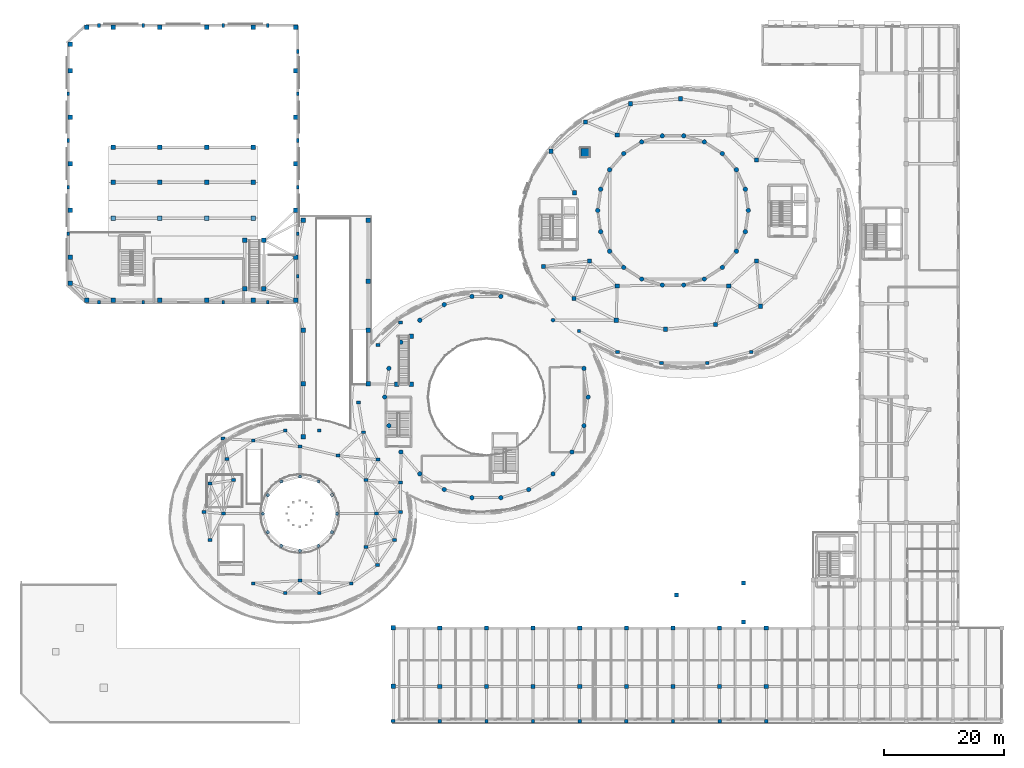
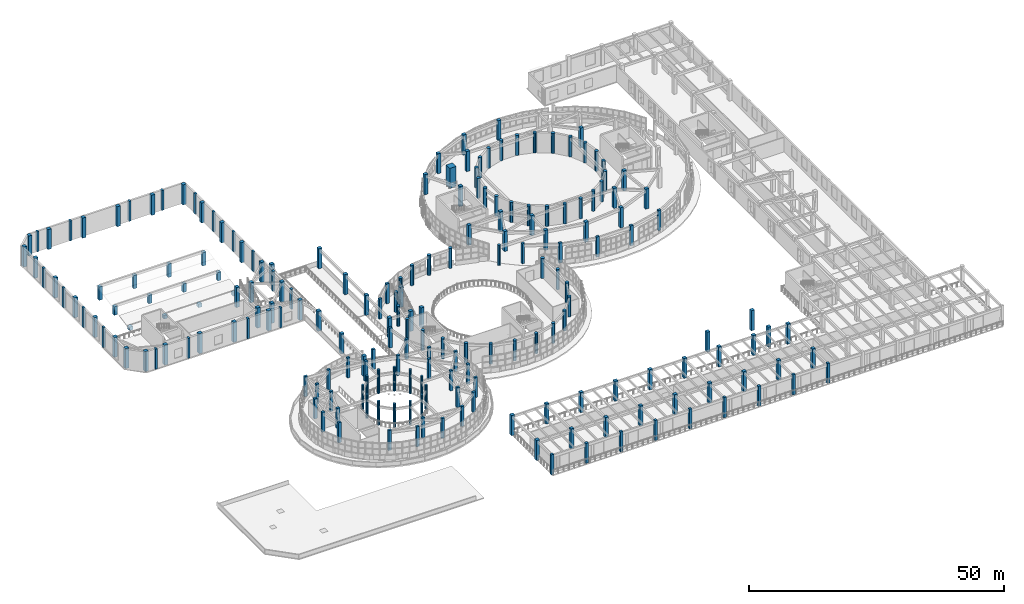
# One storey, part 1 of 98: 205 columns.
"""IFC4 building model written with IfcOpenShell, lengths in metres."""

from ifc_helpers import new_model, si_unit, direction, frame, origin, origin_2d, place, context, subcontext, project, spatial, rectangle, circle, extrude, material, material_profile, profile_set, type_object, element, save


model = new_model("IFC4")

# Units and contexts
model_context = context("Model", 3, precision=1e-05, world=origin(), true_north=direction((0.0, 1.0)))
body_context = subcontext(model_context, "Body", "Model", "MODEL_VIEW")
ifc_project = project(units=[si_unit("LENGTHUNIT", "METRE"), si_unit("AREAUNIT", "SQUARE_METRE"), si_unit("VOLUMEUNIT", "CUBIC_METRE"), si_unit("PLANEANGLEUNIT", "RADIAN"), si_unit("MASSUNIT", "GRAM", prefix="KILO")], contexts=[model_context])

# Site, building, storey
site_placement = place(None, origin())
site = spatial("IfcSite", under=ifc_project, at=site_placement, CompositionType="ELEMENT")
building_placement = place(site_placement, origin())
building = spatial("IfcBuilding", under=site, at=building_placement, Name="Pelvatis Terrace Science Centre", CompositionType="ELEMENT")
storey_placement = place(building_placement, frame((0.0, 0.0, 5.39990234375)))
storey = spatial("IfcBuildingStorey", under=building, at=storey_placement, Name="L01", CompositionType="ELEMENT", Elevation=5.39990234375)

# Columns
ifc_material_1 = material(Name="Concrete C40/50", Category="concrete")
ifc_material_profile_1 = material_profile(ifc_material_1, rectangle(XDim=1.39990234375, YDim=1.39990234375, at=origin_2d()), Name="RC-COL 1400x1400")
ifc_profile_set_1 = profile_set([ifc_material_profile_1], Name="Concrete C40/50")
column_type_1 = type_object("IfcColumnType", Name="COL-PIER-1400", PredefinedType="COLUMN", material=ifc_profile_set_1)
column_1_placement = place(storey_placement, frame((94.5, 95.5, 0.0), z_axis=(0.0, 0.0, 1.0), x_axis=(1.0, 0.0, 0.0)))
element("IfcColumn", 1, at=column_1_placement, inside=storey, type_object=column_type_1, Name="Column PIER-OBS (L01)", PredefinedType="COLUMN", context=body_context, shape_type="SweptSolid", body=[
    extrude(rectangle(XDim=1.39990234375, YDim=1.39990234375, at=origin_2d()), origin(), (0.0, 0.0, 1.0), 4.800048828125),
])
ifc_material_2 = material(Name="Concrete C40/50", Category="concrete")
ifc_material_profile_2 = material_profile(ifc_material_2, rectangle(XDim=0.550048828125, YDim=0.550048828125, at=origin_2d()), Name="RC-COL 550x550")
ifc_profile_set_2 = profile_set([ifc_material_profile_2], Name="Concrete C40/50")
column_type_2 = type_object("IfcColumnType", Name="COL-RC-550x550", PredefinedType="COLUMN", material=ifc_profile_set_2)
for number, where, z_axis, x_axis, name in (
    (2, (93.484130859375, 65.64453125, 0.0), (0.0, 0.0, 1.0), (1.0, 0.0, 0.0), "Column V1E-ST-15 (L01)"),
    (3, (70.199951171875, 0.39990234375, 0.0), (0.0, 0.0, 1.0), (1.0, 0.0, 0.0), "Column V5G-S-2-1 (L01)"),
    (4, (78.0, 0.39990234375, 0.0), (0.0, 0.0, 1.0), (1.0, 0.0, 0.0), "Column V5G-S-3-1 (L01)"),
    (5, (85.800048828125, 0.39990234375, 0.0), (0.0, 0.0, 1.0), (1.0, 0.0, 0.0), "Column V5G-S-4-1 (L01)"),
    (6, (93.60009765625, 0.39990234375, 0.0), (0.0, 0.0, 1.0), (1.0, 0.0, 0.0), "Column V5G-S-5-1 (L01)"),
    (7, (101.39990234375, 0.39990234375, 0.0), (0.0, 0.0, 1.0), (1.0, 0.0, 0.0), "Column V5G-S-6-1 (L01)"),
    (8, (109.199951171875, 0.39990234375, 0.0), (0.0, 0.0, 1.0), (1.0, 0.0, 0.0), "Column V5G-S-7-1 (L01)"),
    (9, (117.0, 0.39990234375, 0.0), (0.0, 0.0, 1.0), (1.0, 0.0, 0.0), "Column V5G-S-8-1 (L01)"),
    (10, (124.800048828125, 0.39990234375, 0.0), (0.0, 0.0, 1.0), (1.0, 0.0, 0.0), "Column V5G-S-9-1 (L01)"),
):
    element("IfcColumn", number, at=place(storey_placement, frame(where, z_axis=z_axis, x_axis=x_axis)), inside=storey, type_object=column_type_2, Name=name, PredefinedType="COLUMN", context=body_context, shape_type="SweptSolid", body=[
        extrude(rectangle(XDim=0.550048828125, YDim=0.550048828125, at=origin_2d()), origin(), (0.0, 0.0, 1.0), 4.800048828125),
    ])
ifc_material_3 = material(Name="Concrete C40/50", Category="concrete")
ifc_material_profile_3 = material_profile(ifc_material_3, rectangle(XDim=0.64990234375, YDim=0.5, at=origin_2d()), Name="RC-COL 650x500")
ifc_profile_set_3 = profile_set([ifc_material_profile_3], Name="Concrete C40/50")
column_type_3 = type_object("IfcColumnType", Name="COL-RC-650x500", PredefinedType="COLUMN", material=ifc_profile_set_3)
for number, where, z_axis, x_axis, name in (
    (11, (99.92529296875, 62.1513671875, 0.0), (0.0, 0.0, 1.0), (1.0, 0.0, 0.0), "Column V1E-ST-16 (L01)"),
    (12, (107.271728515625, 60.3310546875, 0.0), (0.0, 0.0, 1.0), (1.0, 0.0, 0.0), "Column V1E-ST-17 (L01)"),
    (13, (114.92822265625, 60.3310546875, 0.0), (0.0, 0.0, 1.0), (1.0, 0.0, 0.0), "Column V1E-ST-18 (L01)"),
    (14, (122.274658203125, 62.1513671875, 0.0), (0.0, 0.0, 1.0), (1.0, 0.0, 0.0), "Column V1E-ST-19 (L01)"),
    (15, (63.640869140625, 67.076904296875, 0.0), (0.0, 0.0, 1.0), (1.0, 0.0, 0.0), "Column V2E-B-09 (L01)"),
    (16, (59.83837890625, 63.269287109375, 0.0), (0.0, 0.0, 1.0), (1.0, 0.0, 0.0), "Column V2E-B-10 (L01)"),
    (17, (56.60009765625, 53.699951171875, 0.0), (0.0, 0.0, 1.0), (1.0, 0.0, 0.0), "Column V2E-B-12 (L01)"),
    (18, (57.42626953125, 48.71337890625, 0.0), (0.0, 0.0, 1.0), (1.0, 0.0, 0.0), "Column V2E-B-13 (L01)"),
    (19, (59.83837890625, 44.130615234375, 0.0), (0.0, 0.0, 1.0), (1.0, 0.0, 0.0), "Column V2E-B-14 (L01)"),
    (20, (63.640869140625, 40.3232421875, 0.0), (0.0, 0.0, 1.0), (1.0, 0.0, 0.0), "Column V2E-B-15 (L01)"),
    (21, (63.60009765625, 35.39990234375, 0.0), (0.0, 0.0, 1.0), (1.0, 0.0, 0.0), "Column V3E-A-01 (L01)"),
    (22, (50.0478515625, 48.990234375, 0.0), (0.0, 0.0, 1.0), (1.0, 0.0, 0.0), "Column V3E-A-05 (L01)"),
    (23, (44.352294921875, 48.990234375, 0.0), (0.0, 0.0, 1.0), (1.0, 0.0, 0.0), "Column V3E-A-06 (L01)"),
    (24, (39.0, 47.351318359375, 0.0), (0.0, 0.0, 1.0), (1.0, 0.0, 0.0), "Column V3E-A-07 (L01)"),
    (25, (34.636962890625, 44.2705078125, 0.0), (0.0, 0.0, 1.0), (1.0, 0.0, 0.0), "Column V3E-A-08 (L01)"),
    (26, (31.7890625, 40.119873046875, 0.0), (0.0, 0.0, 1.0), (1.0, 0.0, 0.0), "Column V3E-A-09 (L01)"),
    (27, (30.800048828125, 35.39990234375, 0.0), (0.0, 0.0, 1.0), (1.0, 0.0, 0.0), "Column V3E-A-10 (L01)"),
    (28, (31.7890625, 30.68017578125, 0.0), (0.0, 0.0, 1.0), (1.0, 0.0, 0.0), "Column V3E-A-11 (L01)"),
    (29, (39.0, 23.44873046875, 0.0), (0.0, 0.0, 1.0), (1.0, 0.0, 0.0), "Column V3E-A-13 (L01)"),
    (30, (44.352294921875, 21.809814453125, 0.0), (0.0, 0.0, 1.0), (1.0, 0.0, 0.0), "Column V3E-A-14 (L01)"),
    (31, (50.0478515625, 21.809814453125, 0.0), (0.0, 0.0, 1.0), (1.0, 0.0, 0.0), "Column V3E-A-15 (L01)"),
    (32, (55.39990234375, 23.44873046875, 0.0), (0.0, 0.0, 1.0), (1.0, 0.0, 0.0), "Column V3E-A-16 (L01)"),
    (33, (59.76318359375, 26.529541015625, 0.0), (0.0, 0.0, 1.0), (1.0, 0.0, 0.0), "Column V3E-A-17 (L01)"),
    (34, (62.611083984375, 30.68017578125, 0.0), (0.0, 0.0, 1.0), (1.0, 0.0, 0.0), "Column V3E-A-18 (L01)"),
    (35, (33.9619140625, 47.629638671875, 0.0), (0.0, 0.0, 1.0), (1.0, 0.0, 0.0), "Column V3E-B-08 (L01)"),
    (36, (59.60009765625, 35.10009765625, 0.0), (0.0, 0.0, 1.0), (1.0, 0.0, 0.0), "Column V3E-M-01 (L01)"),
    (37, (57.885009765625, 40.699951171875, 0.0), (0.0, 0.0, 1.0), (1.0, 0.0, 0.0), "Column V3E-M-02 (L01)"),
    (38, (53.199951171875, 44.799560546875, 0.0), (0.0, 0.0, 1.0), (1.0, 0.0, 0.0), "Column V3E-M-03 (L01)"),
    (39, (46.800048828125, 46.300048828125, 0.0), (0.0, 0.0, 1.0), (1.0, 0.0, 0.0), "Column V3E-M-04 (L01)"),
    (40, (35.71484375, 40.699951171875, 0.0), (0.0, 0.0, 1.0), (1.0, 0.0, 0.0), "Column V3E-M-06 (L01)"),
    (41, (34.0, 35.10009765625, 0.0), (0.0, 0.0, 1.0), (1.0, 0.0, 0.0), "Column V3E-M-07 (L01)"),
    (42, (46.800048828125, 23.89990234375, 0.0), (0.0, 0.0, 1.0), (1.0, 0.0, 0.0), "Column V3E-M-10 (L01)"),
    (43, (57.885009765625, 29.5, 0.0), (0.0, 0.0, 1.0), (1.0, 0.0, 0.0), "Column V3E-M-12 (L01)"),
    (44, (62.39990234375, 0.39990234375, 0.0), (0.0, 0.0, 1.0), (1.0, 0.0, 0.0), "Column V5G-S-1-1 (L01)"),
):
    element("IfcColumn", number, at=place(storey_placement, frame(where, z_axis=z_axis, x_axis=x_axis)), inside=storey, type_object=column_type_3, Name=name, PredefinedType="COLUMN", context=body_context, shape_type="SweptSolid", body=[
        extrude(rectangle(XDim=0.64990234375, YDim=0.5, at=origin_2d()), origin(), (0.0, 0.0, 1.0), 4.800048828125),
    ])
ifc_material_4 = material(Name="Concrete C40/50", Category="concrete")
ifc_material_profile_4 = material_profile(ifc_material_4, rectangle(XDim=0.699951171875, YDim=0.699951171875, at=origin_2d()), Name="RC-COL 700x700")
ifc_profile_set_4 = profile_set([ifc_material_profile_4], Name="Concrete C40/50")
column_type_4 = type_object("IfcColumnType", Name="COL-RC-700x700", PredefinedType="COLUMN", material=ifc_profile_set_4)
for number, where, z_axis, x_axis, name in (
    (45, (110.4716796875, 104.4736328125, 0.0), (0.0, 0.0, 1.0), (1.0, 0.0, 0.0), "Column V1E-RF-05 (L01)"),
    (46, (102.095458984375, 103.65673828125, 0.0), (0.0, 0.0, 1.0), (1.0, 0.0, 0.0), "Column V1E-RF-06 (L01)"),
    (47, (94.575927734375, 100.61376953125, 0.0), (0.0, 0.0, 1.0), (1.0, 0.0, 0.0), "Column V1E-RF-07 (L01)"),
    (48, (88.8203125, 95.71142578125, 0.0), (0.0, 0.0, 1.0), (1.0, 0.0, 0.0), "Column V1E-RF-08 (L01)"),
    (49, (87.548583984375, 76.43798828125, 0.0), (0.0, 0.0, 1.0), (1.0, 0.0, 0.0), "Column V1E-RF-11 (L01)"),
    (50, (92.62744140625, 71.0849609375, 0.0), (0.0, 0.0, 1.0), (1.0, 0.0, 0.0), "Column V1E-RF-12 (L01)"),
    (51, (99.705078125, 67.434326171875, 0.0), (0.0, 0.0, 1.0), (1.0, 0.0, 0.0), "Column V1E-RF-13 (L01)"),
    (52, (107.92822265625, 65.926513671875, 0.0), (0.0, 0.0, 1.0), (1.0, 0.0, 0.0), "Column V1E-RF-14 (L01)"),
    (53, (116.3046875, 66.743408203125, 0.0), (0.0, 0.0, 1.0), (1.0, 0.0, 0.0), "Column V1E-RF-15 (L01)"),
    (54, (123.82421875, 69.786376953125, 0.0), (0.0, 0.0, 1.0), (1.0, 0.0, 0.0), "Column V1E-RF-16 (L01)"),
    (55, (123.168701171875, 94.24462890625, 0.0), (0.0, 0.0, 1.0), (1.0, 0.0, 0.0), "Column V1E-IN-02 (L01)"),
    (56, (99.866455078125, 98.438232421875, 0.0), (0.0, 0.0, 1.0), (1.0, 0.0, 0.0), "Column V1E-IN-06 (L01)"),
    (57, (92.722900390625, 88.765380859375, 0.0), (0.0, 0.0, 1.0), (1.0, 0.0, 0.0), "Column V1E-IN-08 (L01)"),
    (58, (95.231201171875, 77.355224609375, 0.0), (0.0, 0.0, 1.0), (1.0, 0.0, 0.0), "Column V1E-IN-10 (L01)"),
    (59, (99.866455078125, 73.16162109375, 0.0), (0.0, 0.0, 1.0), (1.0, 0.0, 0.0), "Column V1E-IN-11 (L01)"),
    (60, (118.53369140625, 73.16162109375, 0.0), (0.0, 0.0, 1.0), (1.0, 0.0, 0.0), "Column V1E-IN-14 (L01)"),
    (61, (123.168701171875, 77.355224609375, 0.0), (0.0, 0.0, 1.0), (1.0, 0.0, 0.0), "Column V1E-IN-15 (L01)"),
    (62, (70.199951171875, 6.199951171875, 0.0), (0.0, 0.0, 1.0), (1.0, 0.0, 0.0), "Column V5G-S-2-2 (L01)"),
    (63, (70.199951171875, 16.0, 0.0), (0.0, 0.0, 1.0), (1.0, 0.0, 0.0), "Column V5G-S-2-3 (L01)"),
    (64, (78.0, 6.199951171875, 0.0), (0.0, 0.0, 1.0), (1.0, 0.0, 0.0), "Column V5G-S-3-2 (L01)"),
    (65, (78.0, 16.0, 0.0), (0.0, 0.0, 1.0), (1.0, 0.0, 0.0), "Column V5G-S-3-3 (L01)"),
    (66, (85.800048828125, 6.199951171875, 0.0), (0.0, 0.0, 1.0), (1.0, 0.0, 0.0), "Column V5G-S-4-2 (L01)"),
    (67, (85.800048828125, 16.0, 0.0), (0.0, 0.0, 1.0), (1.0, 0.0, 0.0), "Column V5G-S-4-3 (L01)"),
    (68, (93.60009765625, 6.199951171875, 0.0), (0.0, 0.0, 1.0), (1.0, 0.0, 0.0), "Column V5G-S-5-2 (L01)"),
    (69, (93.60009765625, 16.0, 0.0), (0.0, 0.0, 1.0), (1.0, 0.0, 0.0), "Column V5G-S-5-3 (L01)"),
    (70, (101.39990234375, 6.199951171875, 0.0), (0.0, 0.0, 1.0), (1.0, 0.0, 0.0), "Column V5G-S-6-2 (L01)"),
    (71, (101.39990234375, 16.0, 0.0), (0.0, 0.0, 1.0), (1.0, 0.0, 0.0), "Column V5G-S-6-3 (L01)"),
    (72, (109.199951171875, 6.199951171875, 0.0), (0.0, 0.0, 1.0), (1.0, 0.0, 0.0), "Column V5G-S-7-2 (L01)"),
    (73, (109.199951171875, 16.0, 0.0), (0.0, 0.0, 1.0), (1.0, 0.0, 0.0), "Column V5G-S-7-3 (L01)"),
    (74, (117.0, 6.199951171875, 0.0), (0.0, 0.0, 1.0), (1.0, 0.0, 0.0), "Column V5G-S-8-2 (L01)"),
    (75, (117.0, 16.0, 0.0), (0.0, 0.0, 1.0), (1.0, 0.0, 0.0), "Column V5G-S-8-3 (L01)"),
    (76, (124.800048828125, 6.199951171875, 0.0), (0.0, 0.0, 1.0), (1.0, 0.0, 0.0), "Column V5G-S-9-2 (L01)"),
    (77, (124.800048828125, 16.0, 0.0), (0.0, 0.0, 1.0), (1.0, 0.0, 0.0), "Column V5G-S-9-3 (L01)"),
    (78, (121.0, 17.0, 0.0), (0.0, 0.0, 1.0), (1.0, 0.0, 0.0), "Column SUPR2-16 (L01)"),
    (79, (109.800048828125, 21.5, 0.0), (0.0, 0.0, 1.0), (1.0, 0.0, 0.0), "Column SUPR2-18 (L01)"),
    (80, (121.0, 23.5, 0.0), (0.0, 0.0, 1.0), (1.0, 0.0, 0.0), "Column SUPR2-19 (L01)"),
):
    element("IfcColumn", number, at=place(storey_placement, frame(where, z_axis=z_axis, x_axis=x_axis)), inside=storey, type_object=column_type_4, Name=name, PredefinedType="COLUMN", context=body_context, shape_type="SweptSolid", body=[
        extrude(rectangle(XDim=0.699951171875, YDim=0.699951171875, at=origin_2d()), origin(), (0.0, 0.0, 1.0), 4.800048828125),
    ])
ifc_material_5 = material(Name="Concrete C40/50", Category="concrete")
ifc_material_profile_5 = material_profile(ifc_material_5, rectangle(XDim=0.75, YDim=0.75, at=origin_2d()), Name="RC-COL 750x750")
ifc_profile_set_5 = profile_set([ifc_material_profile_5], Name="Concrete C40/50")
column_type_5 = type_object("IfcColumnType", Name="COL-RC-750x750", PredefinedType="COLUMN", material=ifc_profile_set_5)
for number, where, z_axis, x_axis, name in (
    (81, (11.199951171875, 70.800048828125, 0.0), (0.0, 0.0, 1.0), (1.0, 0.0, 0.0), "Column V4I-1-1 (L01)"),
    (82, (8.39990234375, 78.0, 0.0), (0.0, 0.0, 1.0), (1.0, 0.0, 0.0), "Column V4I-1-2 (L01)"),
    (83, (8.39990234375, 85.800048828125, 0.0), (0.0, 0.0, 1.0), (1.0, 0.0, 0.0), "Column V4I-1-3 (L01)"),
    (84, (8.39990234375, 93.60009765625, 0.0), (0.0, 0.0, 1.0), (1.0, 0.0, 0.0), "Column V4I-1-4 (L01)"),
    (85, (8.39990234375, 101.39990234375, 0.0), (0.0, 0.0, 1.0), (1.0, 0.0, 0.0), "Column V4I-1-5 (L01)"),
    (86, (8.39990234375, 109.199951171875, 0.0), (0.0, 0.0, 1.0), (1.0, 0.0, 0.0), "Column V4I-1-6 (L01)"),
    (87, (11.199951171875, 116.39990234375, 0.0), (0.0, 0.0, 1.0), (1.0, 0.0, 0.0), "Column V4I-1-7 (L01)"),
    (88, (15.60009765625, 70.800048828125, 0.0), (0.0, 0.0, 1.0), (1.0, 0.0, 0.0), "Column V4I-2-1 (L01)"),
    (89, (15.60009765625, 116.39990234375, 0.0), (0.0, 0.0, 1.0), (1.0, 0.0, 0.0), "Column V4I-2-7 (L01)"),
    (90, (23.39990234375, 70.800048828125, 0.0), (0.0, 0.0, 1.0), (1.0, 0.0, 0.0), "Column V4I-3-1 (L01)"),
    (91, (23.39990234375, 116.39990234375, 0.0), (0.0, 0.0, 1.0), (1.0, 0.0, 0.0), "Column V4I-3-7 (L01)"),
    (92, (31.199951171875, 70.800048828125, 0.0), (0.0, 0.0, 1.0), (1.0, 0.0, 0.0), "Column V4I-4-1 (L01)"),
    (93, (31.199951171875, 116.39990234375, 0.0), (0.0, 0.0, 1.0), (1.0, 0.0, 0.0), "Column V4I-4-7 (L01)"),
    (94, (39.0, 70.800048828125, 0.0), (0.0, 0.0, 1.0), (1.0, 0.0, 0.0), "Column V4I-5-1 (L01)"),
    (95, (39.0, 116.39990234375, 0.0), (0.0, 0.0, 1.0), (1.0, 0.0, 0.0), "Column V4I-5-7 (L01)"),
    (96, (46.10009765625, 70.800048828125, 0.0), (0.0, 0.0, 1.0), (1.0, 0.0, 0.0), "Column V4I-6-1 (L01)"),
    (97, (46.10009765625, 78.0, 0.0), (0.0, 0.0, 1.0), (1.0, 0.0, 0.0), "Column V4I-6-2 (L01)"),
    (98, (46.10009765625, 85.800048828125, 0.0), (0.0, 0.0, 1.0), (1.0, 0.0, 0.0), "Column V4I-6-3 (L01)"),
    (99, (46.10009765625, 93.60009765625, 0.0), (0.0, 0.0, 1.0), (1.0, 0.0, 0.0), "Column V4I-6-4 (L01)"),
    (100, (46.10009765625, 101.39990234375, 0.0), (0.0, 0.0, 1.0), (1.0, 0.0, 0.0), "Column V4I-6-5 (L01)"),
    (101, (46.10009765625, 109.199951171875, 0.0), (0.0, 0.0, 1.0), (1.0, 0.0, 0.0), "Column V4I-6-6 (L01)"),
    (102, (46.10009765625, 116.39990234375, 0.0), (0.0, 0.0, 1.0), (1.0, 0.0, 0.0), "Column V4I-6-7 (L01)"),
    (103, (8.39990234375, 73.60009765625, 0.0), (0.0, 0.0, 1.0), (1.0, 0.0, 0.0), "Column V4I-CH-S (L01)"),
    (104, (8.39990234375, 113.60009765625, 0.0), (0.0, 0.0, 1.0), (1.0, 0.0, 0.0), "Column V4I-CH-N (L01)"),
):
    element("IfcColumn", number, at=place(storey_placement, frame(where, z_axis=z_axis, x_axis=x_axis)), inside=storey, type_object=column_type_5, Name=name, PredefinedType="COLUMN", context=body_context, shape_type="SweptSolid", body=[
        extrude(rectangle(XDim=0.75, YDim=0.75, at=origin_2d()), origin(), (0.0, 0.0, 1.0), 4.800048828125),
    ])
column_2_placement = place(storey_placement, frame((15.60009765625, 84.5, 0.0), z_axis=(0.0, 0.0, 1.0), x_axis=(1.0, 0.0, 0.0)))
element("IfcColumn", 105, at=column_2_placement, inside=storey, type_object=column_type_5, Name="Column V4RK-B1 (L01)", PredefinedType="COLUMN", context=body_context, shape_type="SweptSolid", body=[
    extrude(rectangle(XDim=0.75, YDim=0.75, at=origin_2d()), origin(), (0.0, 0.0, 1.0), 0.840087890625),
])
column_3_placement = place(storey_placement, frame((15.60009765625, 90.5, 0.0), z_axis=(0.0, 0.0, 1.0), x_axis=(1.0, 0.0, 0.0)))
element("IfcColumn", 106, at=column_3_placement, inside=storey, type_object=column_type_5, Name="Column V4RK-C1 (L01)", PredefinedType="COLUMN", context=body_context, shape_type="SweptSolid", body=[
    extrude(rectangle(XDim=0.75, YDim=0.75, at=origin_2d()), origin(), (0.0, 0.0, 1.0), 2.010009765625),
])
column_4_placement = place(storey_placement, frame((15.60009765625, 96.39990234375, 0.0), z_axis=(0.0, 0.0, 1.0), x_axis=(1.0, 0.0, 0.0)))
element("IfcColumn", 107, at=column_4_placement, inside=storey, type_object=column_type_5, Name="Column V4RK-D1 (L01)", PredefinedType="COLUMN", context=body_context, shape_type="SweptSolid", body=[
    extrude(rectangle(XDim=0.75, YDim=0.75, at=origin_2d()), origin(), (0.0, 0.0, 1.0), 3.170166015625),
])
column_5_placement = place(storey_placement, frame((23.39990234375, 84.5, 0.0), z_axis=(0.0, 0.0, 1.0), x_axis=(1.0, 0.0, 0.0)))
element("IfcColumn", 108, at=column_5_placement, inside=storey, type_object=column_type_5, Name="Column V4RK-B2 (L01)", PredefinedType="COLUMN", context=body_context, shape_type="SweptSolid", body=[
    extrude(rectangle(XDim=0.75, YDim=0.75, at=origin_2d()), origin(), (0.0, 0.0, 1.0), 0.840087890625),
])
column_6_placement = place(storey_placement, frame((23.39990234375, 90.5, 0.0), z_axis=(0.0, 0.0, 1.0), x_axis=(1.0, 0.0, 0.0)))
element("IfcColumn", 109, at=column_6_placement, inside=storey, type_object=column_type_5, Name="Column V4RK-C2 (L01)", PredefinedType="COLUMN", context=body_context, shape_type="SweptSolid", body=[
    extrude(rectangle(XDim=0.75, YDim=0.75, at=origin_2d()), origin(), (0.0, 0.0, 1.0), 2.010009765625),
])
column_7_placement = place(storey_placement, frame((23.39990234375, 96.39990234375, 0.0), z_axis=(0.0, 0.0, 1.0), x_axis=(1.0, 0.0, 0.0)))
element("IfcColumn", 110, at=column_7_placement, inside=storey, type_object=column_type_5, Name="Column V4RK-D2 (L01)", PredefinedType="COLUMN", context=body_context, shape_type="SweptSolid", body=[
    extrude(rectangle(XDim=0.75, YDim=0.75, at=origin_2d()), origin(), (0.0, 0.0, 1.0), 3.170166015625),
])
column_8_placement = place(storey_placement, frame((31.199951171875, 84.5, 0.0), z_axis=(0.0, 0.0, 1.0), x_axis=(1.0, 0.0, 0.0)))
element("IfcColumn", 111, at=column_8_placement, inside=storey, type_object=column_type_5, Name="Column V4RK-B3 (L01)", PredefinedType="COLUMN", context=body_context, shape_type="SweptSolid", body=[
    extrude(rectangle(XDim=0.75, YDim=0.75, at=origin_2d()), origin(), (0.0, 0.0, 1.0), 0.840087890625),
])
column_9_placement = place(storey_placement, frame((31.199951171875, 90.5, 0.0), z_axis=(0.0, 0.0, 1.0), x_axis=(1.0, 0.0, 0.0)))
element("IfcColumn", 112, at=column_9_placement, inside=storey, type_object=column_type_5, Name="Column V4RK-C3 (L01)", PredefinedType="COLUMN", context=body_context, shape_type="SweptSolid", body=[
    extrude(rectangle(XDim=0.75, YDim=0.75, at=origin_2d()), origin(), (0.0, 0.0, 1.0), 2.010009765625),
])
column_10_placement = place(storey_placement, frame((31.199951171875, 96.39990234375, 0.0), z_axis=(0.0, 0.0, 1.0), x_axis=(1.0, 0.0, 0.0)))
element("IfcColumn", 113, at=column_10_placement, inside=storey, type_object=column_type_5, Name="Column V4RK-D3 (L01)", PredefinedType="COLUMN", context=body_context, shape_type="SweptSolid", body=[
    extrude(rectangle(XDim=0.75, YDim=0.75, at=origin_2d()), origin(), (0.0, 0.0, 1.0), 3.170166015625),
])
column_11_placement = place(storey_placement, frame((39.0, 84.5, 0.0), z_axis=(0.0, 0.0, 1.0), x_axis=(1.0, 0.0, 0.0)))
element("IfcColumn", 114, at=column_11_placement, inside=storey, type_object=column_type_5, Name="Column V4RK-B4 (L01)", PredefinedType="COLUMN", context=body_context, shape_type="SweptSolid", body=[
    extrude(rectangle(XDim=0.75, YDim=0.75, at=origin_2d()), origin(), (0.0, 0.0, 1.0), 0.840087890625),
])
column_12_placement = place(storey_placement, frame((39.0, 90.5, 0.0), z_axis=(0.0, 0.0, 1.0), x_axis=(1.0, 0.0, 0.0)))
element("IfcColumn", 115, at=column_12_placement, inside=storey, type_object=column_type_5, Name="Column V4RK-C4 (L01)", PredefinedType="COLUMN", context=body_context, shape_type="SweptSolid", body=[
    extrude(rectangle(XDim=0.75, YDim=0.75, at=origin_2d()), origin(), (0.0, 0.0, 1.0), 2.010009765625),
])
column_13_placement = place(storey_placement, frame((39.0, 96.39990234375, 0.0), z_axis=(0.0, 0.0, 1.0), x_axis=(1.0, 0.0, 0.0)))
element("IfcColumn", 116, at=column_13_placement, inside=storey, type_object=column_type_5, Name="Column V4RK-D4 (L01)", PredefinedType="COLUMN", context=body_context, shape_type="SweptSolid", body=[
    extrude(rectangle(XDim=0.75, YDim=0.75, at=origin_2d()), origin(), (0.0, 0.0, 1.0), 3.170166015625),
])
for number, where, z_axis, x_axis, name in (
    (117, (62.39990234375, 6.199951171875, 0.0), (0.0, 0.0, 1.0), (1.0, 0.0, 0.0), "Column V5G-S-1-2 (L01)"),
    (118, (62.39990234375, 16.0, 0.0), (0.0, 0.0, 1.0), (1.0, 0.0, 0.0), "Column V5G-S-1-3 (L01)"),
    (119, (47.39990234375, 48.0, 0.0), (0.0, 0.0, 1.0), (1.0, 0.0, 0.0), "Column SUPR2-01 (L01)"),
    (120, (47.39990234375, 56.800048828125, 0.0), (0.0, 0.0, 1.0), (1.0, 0.0, 0.0), "Column SUPR2-03 (L01)"),
    (121, (58.199951171875, 56.800048828125, 0.0), (0.0, 0.0, 1.0), (1.0, 0.0, 0.0), "Column SUPR2-04 (L01)"),
    (122, (47.39990234375, 65.800048828125, 0.0), (0.0, 0.0, 1.0), (1.0, 0.0, 0.0), "Column SUPR2-05 (L01)"),
    (123, (58.199951171875, 65.800048828125, 0.0), (0.0, 0.0, 1.0), (1.0, 0.0, 0.0), "Column SUPR2-06 (L01)"),
    (124, (58.199951171875, 74.0, 0.0), (0.0, 0.0, 1.0), (1.0, 0.0, 0.0), "Column SUPR2-08 (L01)"),
    (125, (47.39990234375, 84.199951171875, 0.0), (0.0, 0.0, 1.0), (1.0, 0.0, 0.0), "Column SUPR2-09 (L01)"),
    (126, (58.199951171875, 84.199951171875, 0.0), (0.0, 0.0, 1.0), (1.0, 0.0, 0.0), "Column SUPR2-10 (L01)"),
    (127, (63.0, 56.699951171875, 0.0), (0.0, 0.0, 1.0), (1.0, 0.0, 0.0), "Column SUPR2-27 (L01)"),
    (128, (65.39990234375, 56.699951171875, 0.0), (0.0, 0.0, 1.0), (1.0, 0.0, 0.0), "Column SUPR2-28 (L01)"),
    (129, (65.39990234375, 64.800048828125, 0.0), (0.0, 0.0, 1.0), (1.0, 0.0, 0.0), "Column SUPR2-30 (L01)"),
    (130, (37.60009765625, 72.699951171875, 0.0), (0.0, 0.0, 1.0), (1.0, 0.0, 0.0), "Column SUPR2-31 (L01)"),
    (131, (40.800048828125, 72.699951171875, 0.0), (0.0, 0.0, 1.0), (1.0, 0.0, 0.0), "Column SUPR2-32 (L01)"),
    (132, (37.60009765625, 80.800048828125, 0.0), (0.0, 0.0, 1.0), (1.0, 0.0, 0.0), "Column SUPR2-33 (L01)"),
    (133, (40.800048828125, 80.800048828125, 0.0), (0.0, 0.0, 1.0), (1.0, 0.0, 0.0), "Column SUPR2-34 (L01)"),
):
    element("IfcColumn", number, at=place(storey_placement, frame(where, z_axis=z_axis, x_axis=x_axis)), inside=storey, type_object=column_type_5, Name=name, PredefinedType="COLUMN", context=body_context, shape_type="SweptSolid", body=[
        extrude(rectangle(XDim=0.75, YDim=0.75, at=origin_2d()), origin(), (0.0, 0.0, 1.0), 4.800048828125),
    ])
ifc_material_6 = material(Name="Concrete C40/50", Category="concrete")
ifc_material_profile_6 = material_profile(ifc_material_6, circle(Radius=0.27490234375, at=origin_2d()), Name="RC-RCOL D550")
ifc_profile_set_6 = profile_set([ifc_material_profile_6], Name="Concrete C40/50")
column_type_6 = type_object("IfcColumnType", Name="COL-RND-D550", PredefinedType="COLUMN", material=ifc_profile_set_6)
for number, where, z_axis, x_axis, name in (
    (134, (53.0, 35.10009765625, 0.0), (0.0, 0.0, 1.0), (1.0, 0.0, 0.0), "Column V3N-01 (L01)"),
    (135, (52.16943359375, 38.199951171875, 0.0), (0.0, 0.0, 1.0), (1.0, 0.0, 0.0), "Column V3N-02 (L01)"),
    (136, (49.89990234375, 40.469482421875, 0.0), (0.0, 0.0, 1.0), (1.0, 0.0, 0.0), "Column V3N-03 (L01)"),
    (137, (46.800048828125, 41.300048828125, 0.0), (0.0, 0.0, 1.0), (1.0, 0.0, 0.0), "Column V3N-04 (L01)"),
    (138, (43.699951171875, 40.469482421875, 0.0), (0.0, 0.0, 1.0), (1.0, 0.0, 0.0), "Column V3N-05 (L01)"),
    (139, (41.4306640625, 38.199951171875, 0.0), (0.0, 0.0, 1.0), (1.0, 0.0, 0.0), "Column V3N-06 (L01)"),
    (140, (40.60009765625, 35.10009765625, 0.0), (0.0, 0.0, 1.0), (1.0, 0.0, 0.0), "Column V3N-07 (L01)"),
    (141, (41.4306640625, 32.0, 0.0), (0.0, 0.0, 1.0), (1.0, 0.0, 0.0), "Column V3N-08 (L01)"),
    (142, (43.699951171875, 29.730712890625, 0.0), (0.0, 0.0, 1.0), (1.0, 0.0, 0.0), "Column V3N-09 (L01)"),
    (143, (46.800048828125, 28.89990234375, 0.0), (0.0, 0.0, 1.0), (1.0, 0.0, 0.0), "Column V3N-10 (L01)"),
    (144, (49.89990234375, 29.730712890625, 0.0), (0.0, 0.0, 1.0), (1.0, 0.0, 0.0), "Column V3N-11 (L01)"),
    (145, (52.16943359375, 32.0, 0.0), (0.0, 0.0, 1.0), (1.0, 0.0, 0.0), "Column V3N-12 (L01)"),
):
    element("IfcColumn", number, at=place(storey_placement, frame(where, z_axis=z_axis, x_axis=x_axis)), inside=storey, type_object=column_type_6, Name=name, PredefinedType="COLUMN", context=body_context, shape_type="SweptSolid", body=[
        extrude(circle(Radius=0.27490234375, at=origin_2d()), origin(), (0.0, 0.0, 1.0), 5.7001953125),
    ])
ifc_material_7 = material(Name="Concrete C40/50", Category="concrete")
ifc_material_profile_7 = material_profile(ifc_material_7, circle(Radius=0.324951171875, at=origin_2d()), Name="RC-RCOL D650")
ifc_profile_set_7 = profile_set([ifc_material_profile_7], Name="Concrete C40/50")
column_type_7 = type_object("IfcColumnType", Name="COL-RND-D650", PredefinedType="COLUMN", material=ifc_profile_set_7)
column_14_placement = place(storey_placement, frame((89.132568359375, 67.44775390625, 0.0), z_axis=(0.0, 0.0, 1.0), x_axis=(1.0, 0.0, 0.0)))
element("IfcColumn", 146, at=column_14_placement, inside=storey, type_object=column_type_7, Name="Column V2B-04 (L01)", PredefinedType="COLUMN", context=body_context, shape_type="SweptSolid", body=[
    extrude(circle(Radius=0.324951171875, at=origin_2d()), origin(), (0.0, 0.0, 1.0), 4.800048828125),
])
ifc_material_8 = material(Name="Concrete C40/50", Category="concrete")
ifc_material_profile_8 = material_profile(ifc_material_8, circle(Radius=0.375, at=origin_2d()), Name="RC-RCOL D750")
ifc_profile_set_8 = profile_set([ifc_material_profile_8], Name="Concrete C40/50")
column_type_8 = type_object("IfcColumnType", Name="COL-RND-D750", PredefinedType="COLUMN", material=ifc_profile_set_8)
for number, where, z_axis, x_axis, name in (
    (147, (121.800048828125, 85.800048828125, 0.0), (0.0, 0.0, 1.0), (1.0, 0.0, 0.0), "Column V1D-01 (L01)"),
    (148, (121.28955078125, 89.349853515625, 0.0), (0.0, 0.0, 1.0), (1.0, 0.0, 0.0), "Column V1D-02 (L01)"),
    (149, (119.7998046875, 92.612060546875, 0.0), (0.0, 0.0, 1.0), (1.0, 0.0, 0.0), "Column V1D-03 (L01)"),
    (150, (117.451171875, 95.322509765625, 0.0), (0.0, 0.0, 1.0), (1.0, 0.0, 0.0), "Column V1D-04 (L01)"),
    (151, (114.43408203125, 97.261474609375, 0.0), (0.0, 0.0, 1.0), (1.0, 0.0, 0.0), "Column V1D-05 (L01)"),
    (152, (110.9931640625, 98.271728515625, 0.0), (0.0, 0.0, 1.0), (1.0, 0.0, 0.0), "Column V1D-06 (L01)"),
    (153, (107.40673828125, 98.271728515625, 0.0), (0.0, 0.0, 1.0), (1.0, 0.0, 0.0), "Column V1D-07 (L01)"),
    (154, (103.9658203125, 97.261474609375, 0.0), (0.0, 0.0, 1.0), (1.0, 0.0, 0.0), "Column V1D-08 (L01)"),
    (155, (100.94873046875, 95.322509765625, 0.0), (0.0, 0.0, 1.0), (1.0, 0.0, 0.0), "Column V1D-09 (L01)"),
    (156, (98.60009765625, 92.612060546875, 0.0), (0.0, 0.0, 1.0), (1.0, 0.0, 0.0), "Column V1D-10 (L01)"),
    (157, (97.1103515625, 89.349853515625, 0.0), (0.0, 0.0, 1.0), (1.0, 0.0, 0.0), "Column V1D-11 (L01)"),
    (158, (96.60009765625, 85.800048828125, 0.0), (0.0, 0.0, 1.0), (1.0, 0.0, 0.0), "Column V1D-12 (L01)"),
    (159, (97.1103515625, 82.250244140625, 0.0), (0.0, 0.0, 1.0), (1.0, 0.0, 0.0), "Column V1D-13 (L01)"),
    (160, (98.60009765625, 78.98779296875, 0.0), (0.0, 0.0, 1.0), (1.0, 0.0, 0.0), "Column V1D-14 (L01)"),
    (161, (100.94873046875, 76.277587890625, 0.0), (0.0, 0.0, 1.0), (1.0, 0.0, 0.0), "Column V1D-15 (L01)"),
    (162, (103.9658203125, 74.338623046875, 0.0), (0.0, 0.0, 1.0), (1.0, 0.0, 0.0), "Column V1D-16 (L01)"),
    (163, (107.40673828125, 73.328125, 0.0), (0.0, 0.0, 1.0), (1.0, 0.0, 0.0), "Column V1D-17 (L01)"),
    (164, (110.9931640625, 73.328125, 0.0), (0.0, 0.0, 1.0), (1.0, 0.0, 0.0), "Column V1D-18 (L01)"),
    (165, (114.43408203125, 74.338623046875, 0.0), (0.0, 0.0, 1.0), (1.0, 0.0, 0.0), "Column V1D-19 (L01)"),
    (166, (117.451171875, 76.277587890625, 0.0), (0.0, 0.0, 1.0), (1.0, 0.0, 0.0), "Column V1D-20 (L01)"),
    (167, (119.7998046875, 78.98779296875, 0.0), (0.0, 0.0, 1.0), (1.0, 0.0, 0.0), "Column V1D-21 (L01)"),
    (168, (121.28955078125, 82.250244140625, 0.0), (0.0, 0.0, 1.0), (1.0, 0.0, 0.0), "Column V1D-22 (L01)"),
    (169, (95.0, 54.60009765625, 0.0), (0.0, 0.0, 1.0), (1.0, 0.0, 0.0), "Column V2B-01 (L01)"),
    (170, (94.311279296875, 59.389404296875, 0.0), (0.0, 0.0, 1.0), (1.0, 0.0, 0.0), "Column V2B-02 (L01)"),
    (171, (80.41943359375, 71.427001953125, 0.0), (0.0, 0.0, 1.0), (1.0, 0.0, 0.0), "Column V2B-06 (L01)"),
    (172, (75.58056640625, 71.427001953125, 0.0), (0.0, 0.0, 1.0), (1.0, 0.0, 0.0), "Column V2B-07 (L01)"),
    (173, (70.93798828125, 70.063720703125, 0.0), (0.0, 0.0, 1.0), (1.0, 0.0, 0.0), "Column V2B-08 (L01)"),
    (174, (66.867431640625, 67.44775390625, 0.0), (0.0, 0.0, 1.0), (1.0, 0.0, 0.0), "Column V2B-09 (L01)"),
    (175, (63.69873046875, 63.791015625, 0.0), (0.0, 0.0, 1.0), (1.0, 0.0, 0.0), "Column V2B-10 (L01)"),
    (176, (61.688720703125, 59.389404296875, 0.0), (0.0, 0.0, 1.0), (1.0, 0.0, 0.0), "Column V2B-11 (L01)"),
    (177, (61.0, 54.60009765625, 0.0), (0.0, 0.0, 1.0), (1.0, 0.0, 0.0), "Column V2B-12 (L01)"),
    (178, (61.688720703125, 49.810546875, 0.0), (0.0, 0.0, 1.0), (1.0, 0.0, 0.0), "Column V2B-13 (L01)"),
    (179, (63.69873046875, 45.4091796875, 0.0), (0.0, 0.0, 1.0), (1.0, 0.0, 0.0), "Column V2B-14 (L01)"),
    (180, (66.867431640625, 41.752197265625, 0.0), (0.0, 0.0, 1.0), (1.0, 0.0, 0.0), "Column V2B-15 (L01)"),
    (181, (70.93798828125, 39.13623046875, 0.0), (0.0, 0.0, 1.0), (1.0, 0.0, 0.0), "Column V2B-16 (L01)"),
    (182, (75.58056640625, 37.77294921875, 0.0), (0.0, 0.0, 1.0), (1.0, 0.0, 0.0), "Column V2B-17 (L01)"),
    (183, (80.41943359375, 37.77294921875, 0.0), (0.0, 0.0, 1.0), (1.0, 0.0, 0.0), "Column V2B-18 (L01)"),
    (184, (85.06201171875, 39.13623046875, 0.0), (0.0, 0.0, 1.0), (1.0, 0.0, 0.0), "Column V2B-19 (L01)"),
    (185, (89.132568359375, 41.752197265625, 0.0), (0.0, 0.0, 1.0), (1.0, 0.0, 0.0), "Column V2B-20 (L01)"),
    (186, (92.30126953125, 45.4091796875, 0.0), (0.0, 0.0, 1.0), (1.0, 0.0, 0.0), "Column V2B-21 (L01)"),
    (187, (94.311279296875, 49.810546875, 0.0), (0.0, 0.0, 1.0), (1.0, 0.0, 0.0), "Column V2B-22 (L01)"),
):
    element("IfcColumn", number, at=place(storey_placement, frame(where, z_axis=z_axis, x_axis=x_axis)), inside=storey, type_object=column_type_8, Name=name, PredefinedType="COLUMN", context=body_context, shape_type="SweptSolid", body=[
        extrude(circle(Radius=0.375, at=origin_2d()), origin(), (0.0, 0.0, 1.0), 4.800048828125),
    ])
ifc_material_9 = material(Name="Concrete C40/50", Category="concrete")
ifc_material_profile_9 = material_profile(ifc_material_9, rectangle(XDim=0.43994140625, YDim=0.6201171875, at=origin_2d()), Name="RC-PIL 440x620")
ifc_profile_set_9 = profile_set([ifc_material_profile_9], Name="Concrete C40/50")
column_type_9 = type_object("IfcColumnType", Name="PIL-RC-440x620", PredefinedType="PILASTER", material=ifc_profile_set_9)
for number, where, z_axis, x_axis, name in (
    (188, (46.449951171875, 74.800048828125, 0.0), (0.0, 0.0, 1.0), (1.0, 0.0, 0.0), "Column PIL-E01 (L01)"),
    (189, (8.050048828125, 81.89990234375, 0.0), (0.0, 0.0, 1.0), (1.0, 0.0, 0.0), "Column PIL-W02 (L01)"),
    (190, (46.449951171875, 81.89990234375, 0.0), (0.0, 0.0, 1.0), (1.0, 0.0, 0.0), "Column PIL-E02 (L01)"),
    (191, (8.050048828125, 89.699951171875, 0.0), (0.0, 0.0, 1.0), (1.0, 0.0, 0.0), "Column PIL-W03 (L01)"),
    (192, (46.449951171875, 89.699951171875, 0.0), (0.0, 0.0, 1.0), (1.0, 0.0, 0.0), "Column PIL-E03 (L01)"),
    (193, (8.050048828125, 97.5, 0.0), (0.0, 0.0, 1.0), (1.0, 0.0, 0.0), "Column PIL-W04 (L01)"),
    (194, (46.449951171875, 97.5, 0.0), (0.0, 0.0, 1.0), (1.0, 0.0, 0.0), "Column PIL-E04 (L01)"),
    (195, (8.050048828125, 105.300048828125, 0.0), (0.0, 0.0, 1.0), (1.0, 0.0, 0.0), "Column PIL-W05 (L01)"),
    (196, (46.449951171875, 105.300048828125, 0.0), (0.0, 0.0, 1.0), (1.0, 0.0, 0.0), "Column PIL-E05 (L01)"),
    (197, (46.449951171875, 112.39990234375, 0.0), (0.0, 0.0, 1.0), (1.0, 0.0, 0.0), "Column PIL-E06 (L01)"),
    (198, (13.199951171875, 70.449951171875, 0.0), (0.0, 0.0, 1.0), (1.0, 0.0, 0.0), "Column PIL-S01 (L01)"),
    (199, (13.199951171875, 116.75, 0.0), (0.0, 0.0, 1.0), (1.0, 0.0, 0.0), "Column PIL-N01 (L01)"),
    (200, (20.60009765625, 70.449951171875, 0.0), (0.0, 0.0, 1.0), (1.0, 0.0, 0.0), "Column PIL-S02 (L01)"),
    (201, (20.60009765625, 116.75, 0.0), (0.0, 0.0, 1.0), (1.0, 0.0, 0.0), "Column PIL-N02 (L01)"),
    (202, (34.0, 70.449951171875, 0.0), (0.0, 0.0, 1.0), (1.0, 0.0, 0.0), "Column PIL-S03 (L01)"),
    (203, (34.0, 116.75, 0.0), (0.0, 0.0, 1.0), (1.0, 0.0, 0.0), "Column PIL-N03 (L01)"),
    (204, (41.39990234375, 70.449951171875, 0.0), (0.0, 0.0, 1.0), (1.0, 0.0, 0.0), "Column PIL-S04 (L01)"),
    (205, (41.39990234375, 116.75, 0.0), (0.0, 0.0, 1.0), (1.0, 0.0, 0.0), "Column PIL-N04 (L01)"),
):
    element("IfcColumn", number, at=place(storey_placement, frame(where, z_axis=z_axis, x_axis=x_axis)), inside=storey, type_object=column_type_9, Name=name, PredefinedType="PILASTER", context=body_context, shape_type="SweptSolid", body=[
        extrude(rectangle(XDim=0.43994140625, YDim=0.6201171875, at=origin_2d()), origin(), (0.0, 0.0, 1.0), 4.800048828125),
    ])

save(model, "model.ifc")
